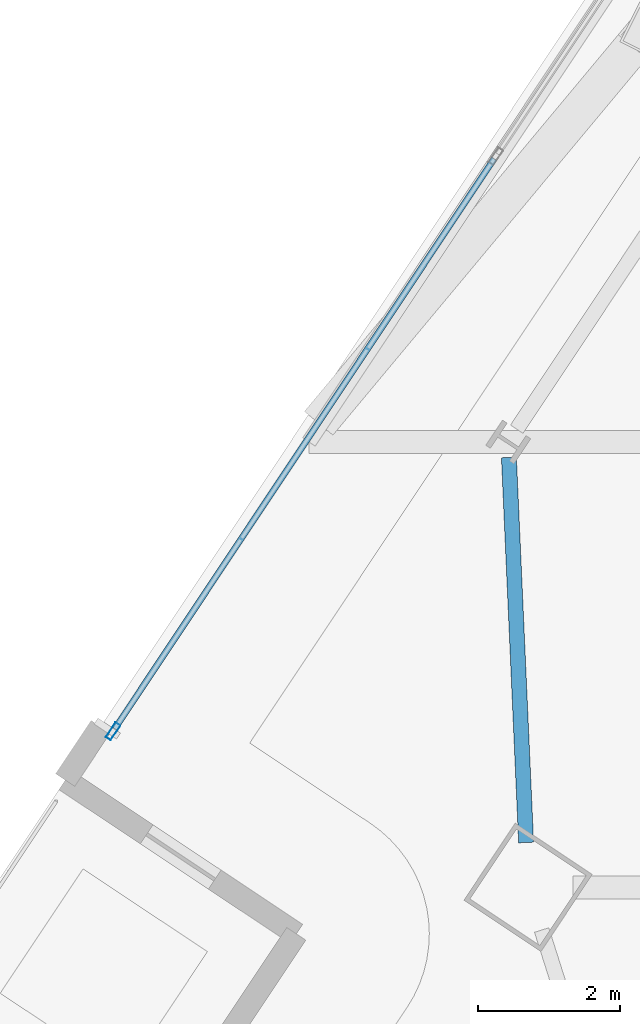
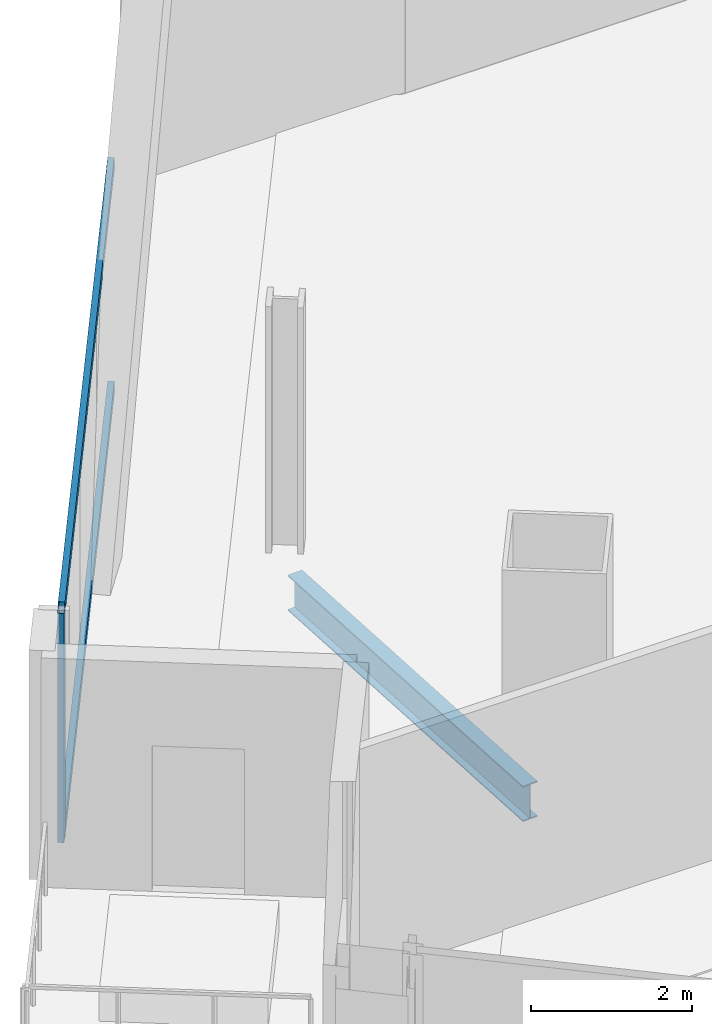
# One storey, part 5 of 32: 3 members, 1 beam, 1 element without a shape of its own.
"""IFC4 building model written with IfcOpenShell, lengths in metres."""

from ifc_helpers import new_model, si_unit, direction, frame, origin, origin_2d, place, context, subcontext, project, spatial, hollow_rectangle, i_section, extrude, material, material_profile, profile_set, type_object, element, aggregate, save


model = new_model("IFC4")

# Units and contexts
model_context = context("Model", 3, precision=1e-05, world=origin(), true_north=direction((0.0, 1.0)))
body_context = subcontext(model_context, "Body", "Model", "MODEL_VIEW")
ifc_project = project(units=[si_unit("LENGTHUNIT", "METRE"), si_unit("AREAUNIT", "SQUARE_METRE"), si_unit("VOLUMEUNIT", "CUBIC_METRE"), si_unit("PLANEANGLEUNIT", "RADIAN"), si_unit("MASSUNIT", "GRAM", prefix="KILO")], contexts=[model_context])

# Site, building, storey
site_placement = place(None, origin())
site = spatial("IfcSite", under=ifc_project, at=site_placement, CompositionType="ELEMENT")
building_placement = place(site_placement, origin())
building = spatial("IfcBuilding", under=site, at=building_placement, Name="Haldenkirk Collegiate Tower", CompositionType="ELEMENT")
storey_placement = place(building_placement, frame((0.0, 0.0, 217.199951171875)))
storey = spatial("IfcBuildingStorey", under=building, at=storey_placement, Name="L54", CompositionType="ELEMENT", Elevation=217.199951171875)

# Beam
ifc_material_1 = material(Name="Steel ASTM A992 Grade 50", Category="steel")
ifc_material_profile_1 = material_profile(ifc_material_1, i_section(OverallWidth=0.2099609375, OverallDepth=0.537109375, WebThickness=0.010986328125, FlangeThickness=0.017333984375, at=origin_2d()), Name="W21X68")
ifc_profile_set_1 = profile_set([ifc_material_profile_1], Name="Steel ASTM A992 Grade 50")
beam_type = type_object("IfcBeamType", Name="BM-SPANDREL-W21X68", PredefinedType="SPANDREL", material=ifc_profile_set_1)
beam_placement = place(storey_placement, frame((12.034912109375, 26.13037109375, -0.54833984375), z_axis=(0.044620526426, -0.999004008311, 0.0), x_axis=(0.999004008311, 0.044620526426, 0.0)))
element("IfcBeam", 1, at=beam_placement, inside=storey, type_object=beam_type, Name="L54 perimeter spandrel beam 12", PredefinedType="SPANDREL", context=body_context, shape_type="SweptSolid", body=[
    extrude(i_section(OverallWidth=0.2099609375, OverallDepth=0.537109375, WebThickness=0.010986328125, FlangeThickness=0.017333984375, at=origin_2d()), origin(), (0.0, 0.0, 1.0), 5.416748046875),
])

# Curtain wall, members
ifc_material_2 = material(Name="Anodised architectural bronze aluminium", Category="aluminium")
curtain_wall_type = type_object("IfcCurtainWallType", Name="CW-SYS1B-CONVEX-HI", PredefinedType="USERDEFINED", material=ifc_material_2)
curtain_wall_placement = place(storey_placement, origin())
curtain_wall = element("IfcCurtainWall", 2, at=curtain_wall_placement, inside=storey, type_object=curtain_wall_type, Name="L54 Upper tower high-wind convex bronze unitised curtain wall", ObjectType="UNITISED CURTAIN WALL", PredefinedType="USERDEFINED")
ifc_material_profile_2 = material_profile(ifc_material_2, hollow_rectangle(XDim=0.0849609375, YDim=0.25, WallThickness=0.0048828125, at=origin_2d()), Name="CW-MUL-1B")
ifc_profile_set_2 = profile_set([ifc_material_profile_2], Name="Anodised architectural bronze aluminium")
member_type_1 = type_object("IfcMemberType", Name="CW-MUL-1B", PredefinedType="MULLION", material=ifc_profile_set_2)
member_1_placement = place(storey_placement, frame((6.4716796875, 22.281494140625, 0.0), z_axis=(0.0, 0.0, 1.0), x_axis=(-0.832437073465, 0.554119588827, 0.0)))
member_1 = element("IfcMember", 3, at=member_1_placement, type_object=member_type_1, Name="CW-1B mullion 1", PredefinedType="MULLION", context=body_context, shape_type="SweptSolid", body=[
    extrude(hollow_rectangle(XDim=0.0849609375, YDim=0.25, WallThickness=0.0048828125, at=origin_2d()), origin(), (0.0, 0.0, 1.0), 3.469970703125),
])
ifc_material_profile_3 = material_profile(ifc_material_2, hollow_rectangle(XDim=0.0849609375, YDim=0.199951171875, WallThickness=0.0048828125, at=origin_2d()), Name="CW-TRN-1B")
ifc_profile_set_3 = profile_set([ifc_material_profile_3], Name="Anodised architectural bronze aluminium")
member_type_2 = type_object("IfcMemberType", Name="CW-TRN-1B", PredefinedType="USERDEFINED", material=ifc_profile_set_3)
member_2_placement = place(storey_placement, frame((6.4951171875, 22.31689453125, 0.04248046875), z_axis=(0.554114561679, 0.832440419811, 0.0), x_axis=(-0.832440419811, 0.554114561679, 0.0)))
member_2 = element("IfcMember", 4, at=member_2_placement, type_object=member_type_2, Name="CW-1B transom 1.1", ObjectType="TRANSOM", PredefinedType="USERDEFINED", context=body_context, shape_type="SweptSolid", body=[
    extrude(hollow_rectangle(XDim=0.0849609375, YDim=0.199951171875, WallThickness=0.0048828125, at=origin_2d()), origin(), (0.0, 0.0, 1.0), 9.62255859375),
])
member_3_placement = place(storey_placement, frame((6.4951171875, 22.31689453125, 3.427490234375), z_axis=(0.554114561679, 0.832440419811, 0.0), x_axis=(-0.832440419811, 0.554114561679, 0.0)))
member_3 = element("IfcMember", 5, at=member_3_placement, type_object=member_type_2, Name="CW-1B transom 1.2", ObjectType="TRANSOM", PredefinedType="USERDEFINED", context=body_context, shape_type="SweptSolid", body=[
    extrude(hollow_rectangle(XDim=0.0849609375, YDim=0.199951171875, WallThickness=0.0048828125, at=origin_2d()), origin(), (0.0, 0.0, 1.0), 9.62255859375),
])
aggregate(curtain_wall, [member_1, member_2, member_3])

save(model, "model.ifc")
